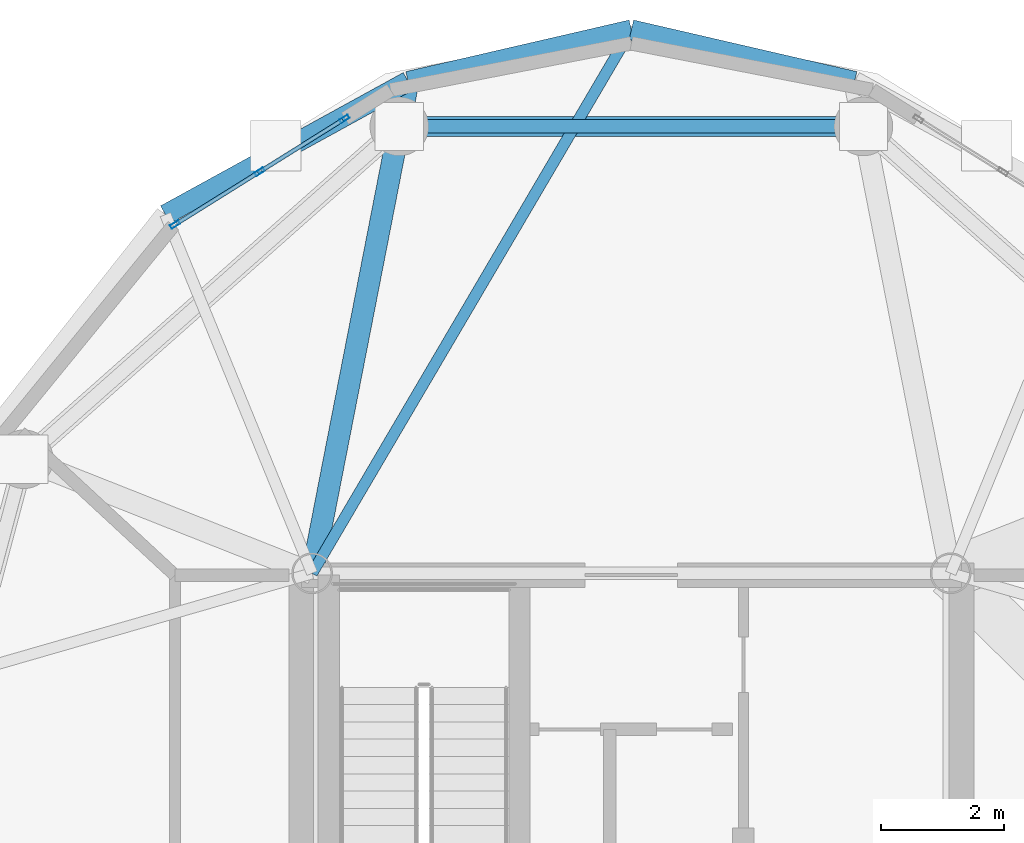
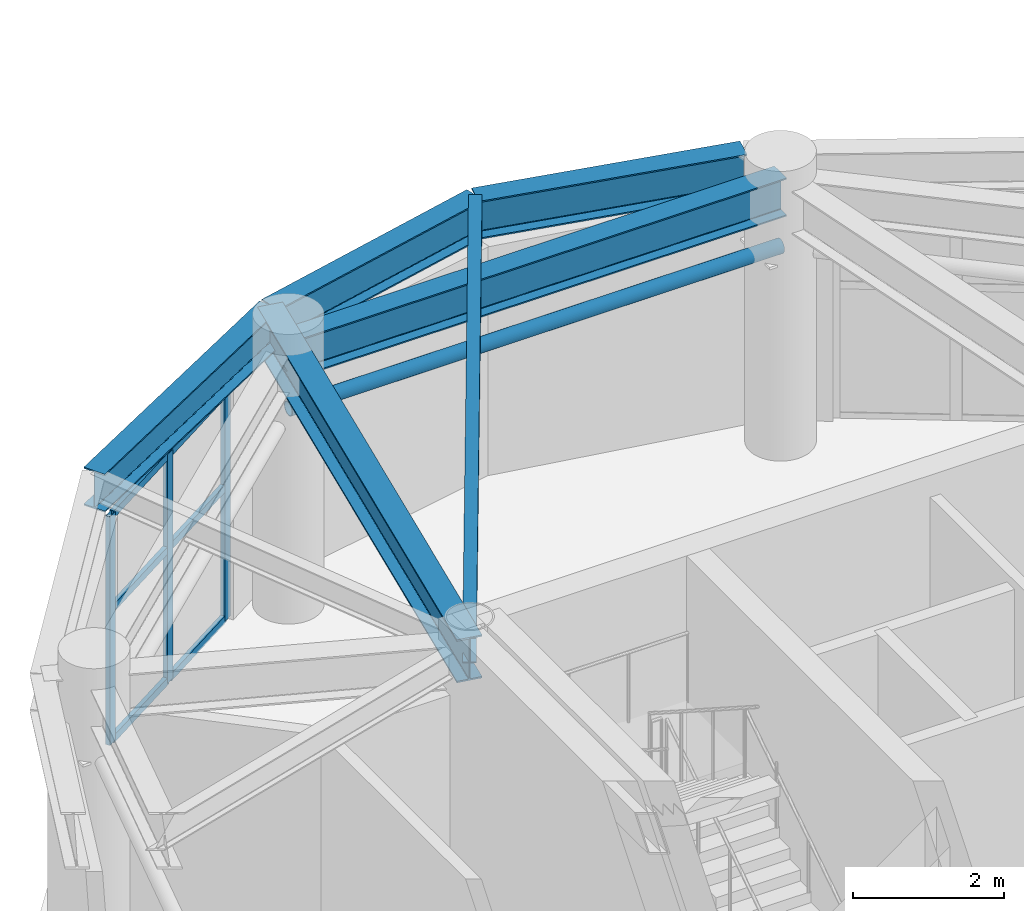
# One storey, part 9 of 28: 10 members, 6 beams, 1 element without a shape of its own.
"""IFC4 building model written with IfcOpenShell, lengths in metres."""

from ifc_helpers import new_model, si_unit, direction, frame, origin, origin_2d, place, context, subcontext, project, spatial, hollow_rectangle, hollow_circle, i_section, extrude, material, layer, layer_set, material_profile, profile_set, type_object, element, aggregate, save


model = new_model("IFC4")

# Units and contexts
model_context = context("Model", 3, precision=1e-05, world=origin(), true_north=direction((0.0, 1.0)))
body_context = subcontext(model_context, "Body", "Model", "MODEL_VIEW")
ifc_project = project(units=[si_unit("LENGTHUNIT", "METRE"), si_unit("AREAUNIT", "SQUARE_METRE"), si_unit("VOLUMEUNIT", "CUBIC_METRE"), si_unit("PLANEANGLEUNIT", "RADIAN"), si_unit("MASSUNIT", "GRAM", prefix="KILO")], contexts=[model_context])

# Site, building, storey
site_placement = place(None, origin())
site = spatial("IfcSite", under=ifc_project, at=site_placement, CompositionType="ELEMENT")
building_placement = place(site_placement, origin())
building = spatial("IfcBuilding", under=site, at=building_placement, Name="Cununo Teusaquillo Station Towers", CompositionType="ELEMENT")
storey_placement = place(building_placement, frame((0.0, 0.0, 235.64990234375)))
storey = spatial("IfcBuildingStorey", under=building, at=storey_placement, Name="L75", CompositionType="ELEMENT", Elevation=235.64990234375)

# Beams
ifc_material_1 = material(Name="Steel ASTM A572 Grade 50", Category="steel")
ifc_material_profile_1 = material_profile(ifc_material_1, i_section(OverallWidth=0.180908203125, OverallDepth=0.4169921875, WebThickness=0.010986328125, FlangeThickness=0.018310546875, FilletRadius=0.012939453125, at=origin_2d()), Name="W16X57")
ifc_profile_set_1 = profile_set([ifc_material_profile_1], Name="Steel ASTM A572 Grade 50")
beam_type_1 = type_object("IfcBeamType", Name="BM-JOIST-1", PredefinedType="JOIST", material=ifc_profile_set_1)
beam_1_placement = place(storey_placement, frame((11.324951171875, 31.3798828125, 4.131591796875), z_axis=(0.506486432091, 0.862247930765, 0.0), x_axis=(-0.862247930765, 0.506486432091, 0.0)))
element("IfcBeam", 1, at=beam_1_placement, inside=storey, type_object=beam_type_1, Name="L75 Tower A Radial Spandrel Joist V05", PredefinedType="JOIST", context=body_context, shape_type="SweptSolid", body=[
    extrude(i_section(OverallWidth=0.180908203125, OverallDepth=0.4169921875, WebThickness=0.010986328125, FlangeThickness=0.018310546875, FilletRadius=0.012939453125, at=origin_2d()), origin(), (0.0, 0.0, 1.0), 10.217529296875),
])
ifc_material_2 = material(Name="Steel ASTM A572 Grade 50", Category="steel")
ifc_material_profile_2 = material_profile(ifc_material_2, i_section(OverallWidth=0.35498046875, OverallDepth=0.696044921875, WebThickness=0.015380859375, FlangeThickness=0.02490234375, FilletRadius=0.01806640625, at=origin_2d()), Name="W27X146")
ifc_profile_set_2 = profile_set([ifc_material_profile_2], Name="Steel ASTM A572 Grade 50")
beam_type_2 = type_object("IfcBeamType", Name="BM-PLNT-G1", PredefinedType="BEAM", material=ifc_profile_set_2)
beam_2_placement = place(storey_placement, frame((11.324951171875, 31.3798828125, 3.9921875), z_axis=(0.191548487699, 0.981483151593, 0.0), x_axis=(-0.981483151593, 0.191548487699, 0.0)))
element("IfcBeam", 2, at=beam_2_placement, inside=storey, type_object=beam_type_2, Name="L75 Tower A Continuous Overhanging Radial Girder 04", PredefinedType="BEAM", context=body_context, shape_type="SweptSolid", body=[
    extrude(i_section(OverallWidth=0.35498046875, OverallDepth=0.696044921875, WebThickness=0.015380859375, FlangeThickness=0.02490234375, FilletRadius=0.01806640625, at=origin_2d()), origin(), (0.0, 0.0, 1.0), 8.1240234375),
])
ifc_material_3 = material(Name="Steel ASTM A572 Grade 50", Category="steel")
ifc_material_profile_3 = material_profile(ifc_material_3, i_section(OverallWidth=0.324951171875, OverallDepth=0.615966796875, WebThickness=0.013916015625, FlangeThickness=0.021484375, FilletRadius=0.01611328125, at=origin_2d()), Name="W24X117")
ifc_profile_set_3 = profile_set([ifc_material_profile_3], Name="Steel ASTM A572 Grade 50")
beam_type_3 = type_object("IfcBeamType", Name="BM-PLNT-G2", PredefinedType="BEAM", material=ifc_profile_set_3)
beam_3_placement = place(storey_placement, frame((20.261474609375, 38.623291015625, 4.031982421875), z_axis=(-1.0, 0.0, 0.0), x_axis=(0.0, -1.0, 0.0)))
element("IfcBeam", 3, at=beam_3_placement, inside=storey, type_object=beam_type_3, Name="L75 Tower A Structural Column Ring Girder 03", PredefinedType="BEAM", context=body_context, shape_type="SweptSolid", body=[
    extrude(i_section(OverallWidth=0.324951171875, OverallDepth=0.615966796875, WebThickness=0.013916015625, FlangeThickness=0.021484375, FilletRadius=0.01611328125, at=origin_2d()), origin(), (0.0, 0.0, 1.0), 7.52294921875),
])
for number, where, z_axis, x_axis, name in (
    (4, (20.118896484375, 39.353515625, 4.031982421875), (-0.97431470066, 0.225190728224, 0.0), (-0.225190728224, -0.97431470066, 0.0), "L75 Tower A Spandrel Ring Beam 05"),
    (5, (16.5, 40.18994140625, 4.031982421875), (-0.97431470066, -0.225190728224, 0.0), (0.225190728224, -0.97431470066, 0.0), "L75 Tower A Spandrel Ring Beam 06"),
):
    element("IfcBeam", number, at=place(storey_placement, frame(where, z_axis=z_axis, x_axis=x_axis)), inside=storey, type_object=beam_type_3, Name=name, PredefinedType="BEAM", context=body_context, shape_type="SweptSolid", body=[
        extrude(i_section(OverallWidth=0.324951171875, OverallDepth=0.615966796875, WebThickness=0.013916015625, FlangeThickness=0.021484375, FilletRadius=0.01611328125, at=origin_2d()), origin(), (0.0, 0.0, 1.0), 3.71435546875),
    ])
beam_4_placement = place(storey_placement, frame((12.881103515625, 39.353515625, 4.031982421875), z_axis=(-0.876576300909, -0.481262910149, 0.0), x_axis=(0.481262910149, -0.876576300909, 0.0)))
element("IfcBeam", 6, at=beam_4_placement, inside=storey, type_object=beam_type_3, Name="L75 Tower A Spandrel Ring Beam 07", PredefinedType="BEAM", context=body_context, shape_type="SweptSolid", body=[
    extrude(i_section(OverallWidth=0.324951171875, OverallDepth=0.615966796875, WebThickness=0.013916015625, FlangeThickness=0.021484375, FilletRadius=0.01611328125, at=origin_2d()), origin(), (0.0, 0.0, 1.0), 4.488037109375),
])

# Curtain wall, members
ifc_material_4 = material(Name="Ceramic-fritted dark low-E double glazing", Category="glass")
ifc_layer = layer(ifc_material_4, 0.179931640625)
ifc_layer_set = layer_set([ifc_layer], Name="Ceramic-fritted dark low-E double glazing")
curtain_wall_type = type_object("IfcCurtainWallType", Name="CW-SYS-08", PredefinedType="USERDEFINED", material=ifc_layer_set)
curtain_wall_placement = place(storey_placement, origin())
curtain_wall = element("IfcCurtainWall", 7, at=curtain_wall_placement, inside=storey, type_object=curtain_wall_type, Name="L75 Tower A Crown Drum Glazed Screen C06", ObjectType="FRITTED GLAZING", PredefinedType="USERDEFINED")
ifc_material_5 = material(Name="Anodised dark bronze aluminium EN AW-6063-T6", Category="aluminium")
ifc_material_profile_4 = material_profile(ifc_material_5, hollow_rectangle(XDim=0.06494140625, YDim=0.159912109375, WallThickness=0.00390625, at=origin_2d()), Name="CW-MULL-65x160")
ifc_profile_set_4 = profile_set([ifc_material_profile_4], Name="Anodised dark bronze aluminium EN AW-6063-T6")
member_type_1 = type_object("IfcMemberType", Name="CWM-160", PredefinedType="MULLION", material=ifc_profile_set_4)
member_1_placement = place(storey_placement, frame((9.103759765625, 37.03271484375, 0.0), z_axis=(0.0, 0.0, 1.0), x_axis=(-0.529451366729, 0.848340291551, 0.0)))
member_1 = element("IfcMember", 8, at=member_1_placement, type_object=member_type_1, Name="CW-08 mullion 1", PredefinedType="MULLION", context=body_context, shape_type="SweptSolid", body=[
    extrude(hollow_rectangle(XDim=0.06494140625, YDim=0.159912109375, WallThickness=0.00390625, at=origin_2d()), origin(), (0.0, 0.0, 1.0), 3.696044921875),
])
member_2_placement = place(storey_placement, frame((10.47607421875, 37.88916015625, 0.0), z_axis=(0.0, 0.0, 1.0), x_axis=(-0.529451366729, 0.848340291551, 0.0)))
member_2 = element("IfcMember", 9, at=member_2_placement, type_object=member_type_1, Name="CW-08 mullion 2", PredefinedType="MULLION", context=body_context, shape_type="SweptSolid", body=[
    extrude(hollow_rectangle(XDim=0.06494140625, YDim=0.159912109375, WallThickness=0.00390625, at=origin_2d()), origin(), (0.0, 0.0, 1.0), 3.696044921875),
])
member_3_placement = place(storey_placement, frame((11.848388671875, 38.74560546875, 0.0), z_axis=(0.0, 0.0, 1.0), x_axis=(-0.529451366729, 0.848340291551, 0.0)))
member_3 = element("IfcMember", 10, at=member_3_placement, type_object=member_type_1, Name="CW-08 mullion 3", PredefinedType="MULLION", context=body_context, shape_type="SweptSolid", body=[
    extrude(hollow_rectangle(XDim=0.06494140625, YDim=0.159912109375, WallThickness=0.00390625, at=origin_2d()), origin(), (0.0, 0.0, 1.0), 3.696044921875),
])
ifc_material_6 = material(Name="Anodised dark bronze aluminium EN AW-6063-T6", Category="aluminium")
ifc_material_profile_5 = material_profile(ifc_material_6, hollow_rectangle(XDim=0.06494140625, YDim=0.1201171875, WallThickness=0.00390625, at=origin_2d()), Name="CW-TRAN-65x120")
ifc_profile_set_5 = profile_set([ifc_material_profile_5], Name="Anodised dark bronze aluminium EN AW-6063-T6")
member_type_2 = type_object("IfcMemberType", Name="CWT-120", PredefinedType="USERDEFINED", material=ifc_profile_set_5)
member_4_placement = place(storey_placement, frame((9.13134765625, 37.0498046875, 0.03271484375), z_axis=(0.848342652785, 0.529447583304, 0.0), x_axis=(-0.529447583304, 0.848342652785, 0.0)))
member_4 = element("IfcMember", 11, at=member_4_placement, type_object=member_type_2, Name="CW-08 transom 1.1", ObjectType="TRANSOM", PredefinedType="USERDEFINED", context=body_context, shape_type="SweptSolid", body=[
    extrude(hollow_rectangle(XDim=0.06494140625, YDim=0.1201171875, WallThickness=0.00390625, at=origin_2d()), origin(), (0.0, 0.0, 1.0), 1.552490234375),
])
member_5_placement = place(storey_placement, frame((9.13134765625, 37.0498046875, 2.150146484375), z_axis=(0.848342652785, 0.529447583304, 0.0), x_axis=(-0.529447583304, 0.848342652785, 0.0)))
member_5 = element("IfcMember", 12, at=member_5_placement, type_object=member_type_2, Name="CW-08 transom 1.2", ObjectType="TRANSOM", PredefinedType="USERDEFINED", context=body_context, shape_type="SweptSolid", body=[
    extrude(hollow_rectangle(XDim=0.06494140625, YDim=0.1201171875, WallThickness=0.00390625, at=origin_2d()), origin(), (0.0, 0.0, 1.0), 1.552490234375),
])
member_6_placement = place(storey_placement, frame((9.13134765625, 37.0498046875, 3.66357421875), z_axis=(0.848342652785, 0.529447583304, 0.0), x_axis=(-0.529447583304, 0.848342652785, 0.0)))
member_6 = element("IfcMember", 13, at=member_6_placement, type_object=member_type_2, Name="CW-08 transom 1.3", ObjectType="TRANSOM", PredefinedType="USERDEFINED", context=body_context, shape_type="SweptSolid", body=[
    extrude(hollow_rectangle(XDim=0.06494140625, YDim=0.1201171875, WallThickness=0.00390625, at=origin_2d()), origin(), (0.0, 0.0, 1.0), 1.552490234375),
])
member_7_placement = place(storey_placement, frame((10.503662109375, 37.90625, 0.03271484375), z_axis=(0.848342652785, 0.529447583304, 0.0), x_axis=(-0.529447583304, 0.848342652785, 0.0)))
member_7 = element("IfcMember", 14, at=member_7_placement, type_object=member_type_2, Name="CW-08 transom 2.1", ObjectType="TRANSOM", PredefinedType="USERDEFINED", context=body_context, shape_type="SweptSolid", body=[
    extrude(hollow_rectangle(XDim=0.06494140625, YDim=0.1201171875, WallThickness=0.00390625, at=origin_2d()), origin(), (0.0, 0.0, 1.0), 1.552490234375),
])
member_8_placement = place(storey_placement, frame((10.503662109375, 37.90625, 2.150146484375), z_axis=(0.848342652785, 0.529447583304, 0.0), x_axis=(-0.529447583304, 0.848342652785, 0.0)))
member_8 = element("IfcMember", 15, at=member_8_placement, type_object=member_type_2, Name="CW-08 transom 2.2", ObjectType="TRANSOM", PredefinedType="USERDEFINED", context=body_context, shape_type="SweptSolid", body=[
    extrude(hollow_rectangle(XDim=0.06494140625, YDim=0.1201171875, WallThickness=0.00390625, at=origin_2d()), origin(), (0.0, 0.0, 1.0), 1.552490234375),
])
member_9_placement = place(storey_placement, frame((10.503662109375, 37.90625, 3.66357421875), z_axis=(0.848342652785, 0.529447583304, 0.0), x_axis=(-0.529447583304, 0.848342652785, 0.0)))
member_9 = element("IfcMember", 16, at=member_9_placement, type_object=member_type_2, Name="CW-08 transom 2.3", ObjectType="TRANSOM", PredefinedType="USERDEFINED", context=body_context, shape_type="SweptSolid", body=[
    extrude(hollow_rectangle(XDim=0.06494140625, YDim=0.1201171875, WallThickness=0.00390625, at=origin_2d()), origin(), (0.0, 0.0, 1.0), 1.552490234375),
])
aggregate(curtain_wall, [member_1, member_2, member_3, member_4, member_5, member_6, member_7, member_8, member_9])

# Member
ifc_material_7 = material(Name="Steel EN 10025-2 S355J2", Category="steel")
ifc_material_profile_6 = material_profile(ifc_material_7, hollow_circle(Radius=0.109619140625, WallThickness=0.010009765625, at=origin_2d()), Name="CHS 219x10")
ifc_profile_set_6 = profile_set([ifc_material_profile_6], Name="Steel EN 10025-2 S355J2")
member_type_3 = type_object("IfcMemberType", Name="MBR-DRUM-COL", PredefinedType="COLLAR", material=ifc_profile_set_6)
member_10_placement = place(storey_placement, frame((20.261474609375, 38.623291015625, 3.150146484375), z_axis=(-1.0, 0.0, 0.0), x_axis=(0.0, -1.0, 0.0)))
element("IfcMember", 17, at=member_10_placement, inside=storey, type_object=member_type_3, Name="L75 Tower A Crown Drum Collar 03", PredefinedType="COLLAR", context=body_context, shape_type="SweptSolid", body=[
    extrude(hollow_circle(Radius=0.109619140625, WallThickness=0.010009765625, at=origin_2d()), origin(), (0.0, 0.0, 1.0), 7.52294921875),
])

save(model, "model.ifc")
